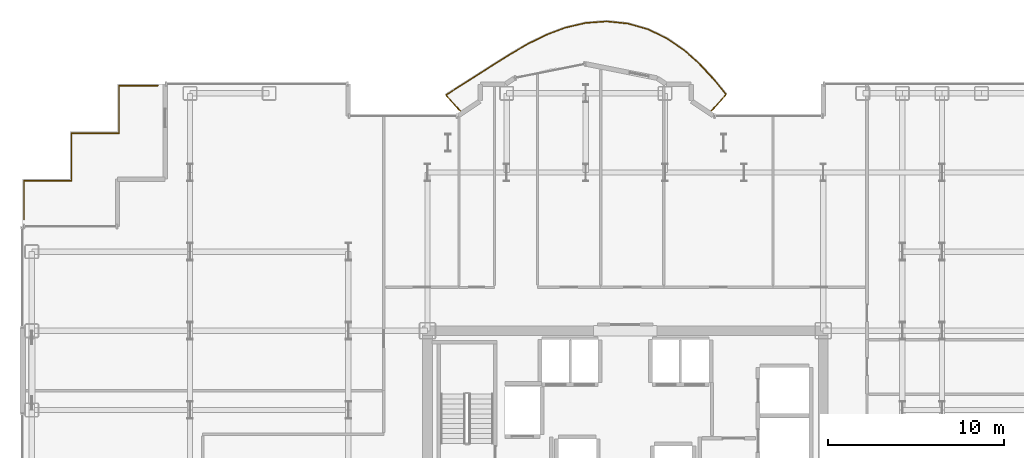
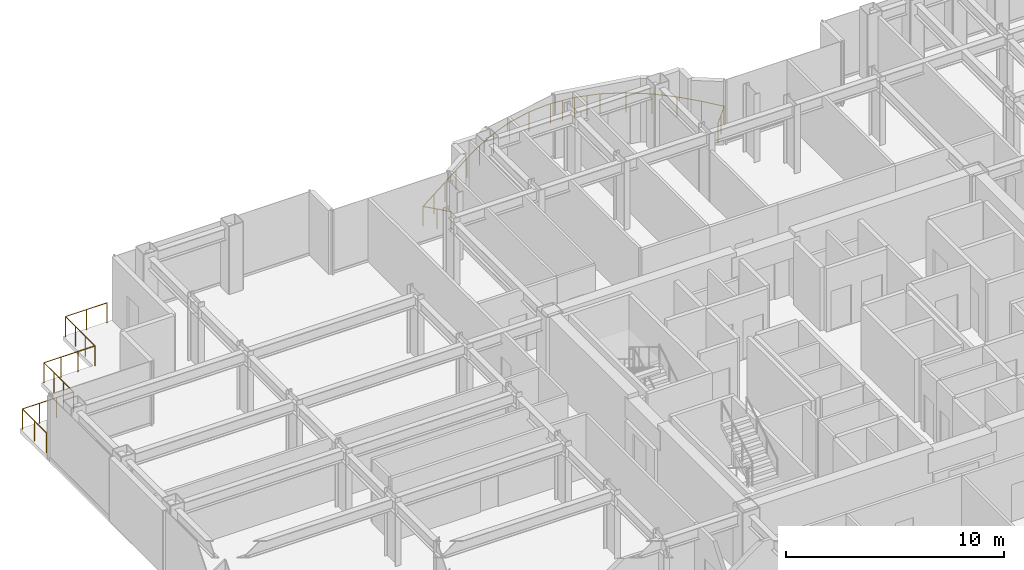
# One storey, part 29 of 29: 2 railings.
"""IFC4 building model written with IfcOpenShell, lengths in metres."""

from ifc_helpers import new_model, si_unit, direction, frame, origin, origin_2d, place, context, subcontext, project, spatial, circle, extrude, material, type_object, element, save


model = new_model("IFC4")

# Units and contexts
model_context = context("Model", 3, precision=1e-05, world=origin(), true_north=direction((0.0, 1.0)))
body_context = subcontext(model_context, "Body", "Model", "MODEL_VIEW")
ifc_project = project(units=[si_unit("LENGTHUNIT", "METRE"), si_unit("AREAUNIT", "SQUARE_METRE"), si_unit("VOLUMEUNIT", "CUBIC_METRE"), si_unit("PLANEANGLEUNIT", "RADIAN"), si_unit("MASSUNIT", "GRAM", prefix="KILO")], contexts=[model_context])

# Site, building, storey
site_placement = place(None, origin())
site = spatial("IfcSite", under=ifc_project, at=site_placement, CompositionType="ELEMENT")
building_placement = place(site_placement, origin())
building = spatial("IfcBuilding", under=site, at=building_placement, Name="Nefas-Gora Pilgrimage Tower", CompositionType="ELEMENT")
storey_placement = place(building_placement, frame((0.0, 0.0, 125.0)))
storey = spatial("IfcBuildingStorey", under=building, at=storey_placement, Name="L30", CompositionType="ELEMENT", Elevation=125.0)

# Railings
ifc_material = material(Name="Laminated safety glass and stainless steel", Category="steel")
railing_type_1 = type_object("IfcRailingType", Name="RLG-BAL-1100", PredefinedType="BALUSTRADE", material=ifc_material)
railing_1_placement = place(storey_placement, frame((4.802490234375, 21.402587890625, 0.0)))
element("IfcRailing", 1, at=railing_1_placement, inside=storey, type_object=railing_type_1, Name="L30 Wave Balcony Balustrade N1", PredefinedType="BALUSTRADE", context=body_context, shape_type="SweptSolid", body=[
    extrude(circle(Radius=0.02392578125, at=origin_2d()), frame((0.0, 0.0, 1.09619140625), z_axis=(0.669217868333, 0.743066245165, 0.0), x_axis=(-0.743066245165, 0.669217868333, 0.0)), (0.0, 0.0, 1.0), 1.38525390625),
    extrude(circle(Radius=0.02392578125, at=origin_2d()), frame((0.927001953125, 1.029296875, 1.09619140625), z_axis=(-0.631629482569, 0.775270402343, 0.0), x_axis=(-0.775270402343, -0.631629482569, 0.0)), (0.0, 0.0, 1.0), 1.125244140625),
    extrude(circle(Radius=0.02392578125, at=origin_2d()), frame((0.21630859375, 1.901611328125, 1.09619140625), z_axis=(-0.677893838632, 0.735159808167, 0.0), x_axis=(-0.735159808167, -0.677893838632, 0.0)), (0.0, 0.0, 1.0), 1.1552734375),
    extrude(circle(Radius=0.02392578125, at=origin_2d()), frame((-0.56689453125, 2.7509765625, 1.09619140625), z_axis=(-0.744856770075, 0.667224394094, 0.0), x_axis=(-0.667224394094, -0.744856770075, 0.0)), (0.0, 0.0, 1.0), 1.17919921875),
    extrude(circle(Radius=0.02392578125, at=origin_2d()), frame((-1.4453125, 3.537841796875, 1.09619140625), z_axis=(-0.823486360046, 0.567336068673, 0.0), x_axis=(-0.567336068673, -0.823486360046, 0.0)), (0.0, 0.0, 1.0), 1.193359375),
    extrude(circle(Radius=0.02392578125, at=origin_2d()), frame((-2.427978515625, 4.21484375, 1.09619140625), z_axis=(-0.900372884274, 0.435119143757, 0.0), x_axis=(-0.435119143757, -0.900372884274, 0.0)), (0.0, 0.0, 1.0), 1.198974609375),
    extrude(circle(Radius=0.02392578125, at=origin_2d()), frame((-3.507568359375, 4.736572265625, 1.09619140625), z_axis=(-0.96128569357, 0.275553652377, 0.0), x_axis=(-0.275553652377, -0.96128569357, 0.0)), (0.0, 0.0, 1.0), 1.200439453125),
    extrude(circle(Radius=0.02392578125, at=origin_2d()), frame((-4.66162109375, 5.0673828125, 1.09619140625), z_axis=(-0.994878893823, 0.101074163988, 0.0), x_axis=(-0.101074163988, -0.994878893823, 0.0)), (0.0, 0.0, 1.0), 1.200439453125),
    extrude(circle(Radius=0.02392578125, at=origin_2d()), frame((-5.85595703125, 5.188720703125, 1.09619140625), z_axis=(-0.997416168119, -0.071840013741, 0.0), x_axis=(0.071840013741, -0.997416168119, 0.0)), (0.0, 0.0, 1.0), 1.19970703125),
    extrude(circle(Radius=0.02392578125, at=origin_2d()), frame((-7.052490234375, 5.1025390625, 1.09619140625), z_axis=(-0.973990202432, -0.226590126809, 0.0), x_axis=(0.226590126809, -0.973990202432, 0.0)), (0.0, 0.0, 1.0), 1.19482421875),
    extrude(circle(Radius=0.02392578125, at=origin_2d()), frame((-8.21630859375, 4.831787109375, 1.09619140625), z_axis=(-0.935793373768, -0.352548949243, 0.0), x_axis=(0.352548949243, -0.935793373768, 0.0)), (0.0, 0.0, 1.0), 1.18212890625),
    extrude(circle(Radius=0.02392578125, at=origin_2d()), frame((-9.322509765625, 4.4150390625, 1.09619140625), z_axis=(-0.895603061992, -0.444854083213, 0.0), x_axis=(0.444854083213, -0.895603061992, 0.0)), (0.0, 0.0, 1.0), 1.15966796875),
    extrude(circle(Radius=0.02392578125, at=origin_2d()), frame((-10.361083984375, 3.899169921875, 1.09619140625), z_axis=(-0.863943403334, -0.503588915522, 0.0), x_axis=(0.503588915522, -0.863943403334, 0.0)), (0.0, 0.0, 1.0), 1.130126953125),
    extrude(circle(Radius=0.02392578125, at=origin_2d()), frame((-11.33740234375, 3.330078125, 1.09619140625), z_axis=(-0.846310667587, -0.532689641282, 0.0), x_axis=(0.532689641282, -0.846310667587, 0.0)), (0.0, 0.0, 1.0), 1.099853515625),
    extrude(circle(Radius=0.02392578125, at=origin_2d()), frame((-12.268310546875, 2.744140625, 1.09619140625), z_axis=(-0.841971362418, -0.539522219067, 0.0), x_axis=(0.539522219067, -0.841971362418, 0.0)), (0.0, 0.0, 1.0), 1.079345703125),
    extrude(circle(Radius=0.02392578125, at=origin_2d()), frame((-13.177001953125, 2.161865234375, 1.09619140625), z_axis=(-0.844473528243, -0.535597292839, 0.0), x_axis=(0.535597292839, -0.844473528243, 0.0)), (0.0, 0.0, 1.0), 1.07568359375),
    extrude(circle(Radius=0.02392578125, at=origin_2d()), frame((-14.08544921875, 1.585693359375, 1.09619140625), z_axis=(-0.843707572313, -0.536803066704, 0.0), x_axis=(0.536803066704, -0.843707572313, 0.0)), (0.0, 0.0, 1.0), 1.090576171875),
    extrude(circle(Radius=0.02392578125, at=origin_2d()), frame((-15.005615234375, 1.000244140625, 1.09619140625), z_axis=(0.669135077133, -0.74314079995, 0.0), x_axis=(0.74314079995, 0.669135077133, 0.0)), (0.0, 0.0, 1.0), 1.345947265625),
    extrude(circle(Radius=0.02099609375, at=origin_2d()), origin(), (0.0, 0.0, 1.0), 1.072021484375),
    extrude(circle(Radius=0.02099609375, at=origin_2d()), frame((0.46337890625, 0.5146484375, 0.0)), (0.0, 0.0, 1.0), 1.072021484375),
    extrude(circle(Radius=0.02099609375, at=origin_2d()), frame((0.927001953125, 1.029296875, 0.0)), (0.0, 0.0, 1.0), 1.072021484375),
    extrude(circle(Radius=0.02099609375, at=origin_2d()), frame((0.21630859375, 1.901611328125, 0.0)), (0.0, 0.0, 1.0), 1.072021484375),
    extrude(circle(Radius=0.02099609375, at=origin_2d()), frame((-0.56689453125, 2.7509765625, 0.0)), (0.0, 0.0, 1.0), 1.072021484375),
    extrude(circle(Radius=0.02099609375, at=origin_2d()), frame((-1.4453125, 3.537841796875, 0.0)), (0.0, 0.0, 1.0), 1.072021484375),
    extrude(circle(Radius=0.02099609375, at=origin_2d()), frame((-2.427978515625, 4.21484375, 0.0)), (0.0, 0.0, 1.0), 1.072021484375),
    extrude(circle(Radius=0.02099609375, at=origin_2d()), frame((-3.507568359375, 4.736572265625, 0.0)), (0.0, 0.0, 1.0), 1.072021484375),
    extrude(circle(Radius=0.02099609375, at=origin_2d()), frame((-4.08447265625, 4.90185546875, 0.0)), (0.0, 0.0, 1.0), 1.072021484375),
    extrude(circle(Radius=0.02099609375, at=origin_2d()), frame((-4.66162109375, 5.0673828125, 0.0)), (0.0, 0.0, 1.0), 1.072021484375),
    extrude(circle(Radius=0.02099609375, at=origin_2d()), frame((-5.2587890625, 5.1279296875, 0.0)), (0.0, 0.0, 1.0), 1.072021484375),
    extrude(circle(Radius=0.02099609375, at=origin_2d()), frame((-5.85595703125, 5.188720703125, 0.0)), (0.0, 0.0, 1.0), 1.072021484375),
    extrude(circle(Radius=0.02099609375, at=origin_2d()), frame((-7.052490234375, 5.1025390625, 0.0)), (0.0, 0.0, 1.0), 1.072021484375),
    extrude(circle(Radius=0.02099609375, at=origin_2d()), frame((-8.21630859375, 4.831787109375, 0.0)), (0.0, 0.0, 1.0), 1.072021484375),
    extrude(circle(Radius=0.02099609375, at=origin_2d()), frame((-9.322509765625, 4.4150390625, 0.0)), (0.0, 0.0, 1.0), 1.072021484375),
    extrude(circle(Radius=0.02099609375, at=origin_2d()), frame((-10.361083984375, 3.899169921875, 0.0)), (0.0, 0.0, 1.0), 1.072021484375),
    extrude(circle(Radius=0.02099609375, at=origin_2d()), frame((-11.33740234375, 3.330078125, 0.0)), (0.0, 0.0, 1.0), 1.072021484375),
    extrude(circle(Radius=0.02099609375, at=origin_2d()), frame((-12.268310546875, 2.744140625, 0.0)), (0.0, 0.0, 1.0), 1.072021484375),
    extrude(circle(Radius=0.02099609375, at=origin_2d()), frame((-13.177001953125, 2.161865234375, 0.0)), (0.0, 0.0, 1.0), 1.072021484375),
    extrude(circle(Radius=0.02099609375, at=origin_2d()), frame((-14.08544921875, 1.585693359375, 0.0)), (0.0, 0.0, 1.0), 1.072021484375),
    extrude(circle(Radius=0.02099609375, at=origin_2d()), frame((-15.005615234375, 1.000244140625, 0.0)), (0.0, 0.0, 1.0), 1.072021484375),
    extrude(circle(Radius=0.02099609375, at=origin_2d()), frame((-14.55517578125, 0.5, 0.0)), (0.0, 0.0, 1.0), 1.072021484375),
    extrude(circle(Radius=0.02099609375, at=origin_2d()), frame((-14.10498046875, 0.0, 0.0)), (0.0, 0.0, 1.0), 1.072021484375),
])
railing_type_2 = type_object("IfcRailingType", Name="RLG-TER-1150", PredefinedType="BALUSTRADE", material=ifc_material)
railing_2_placement = place(storey_placement, frame((-34.18994140625, 15.340087890625, 0.0)))
element("IfcRailing", 2, at=railing_2_placement, inside=storey, type_object=railing_type_2, Name="L30 Terrace Continuous Balustrade TER-SP-NW.1", PredefinedType="BALUSTRADE", context=body_context, shape_type="SweptSolid", body=[
    extrude(circle(Radius=0.02392578125, at=origin_2d()), frame((0.0, 0.0, 1.1259765625), z_axis=(0.0, 1.0, 0.0), x_axis=(-1.0, 0.0, 0.0)), (0.0, 0.0, 1.0), 2.199951171875),
    extrude(circle(Radius=0.02392578125, at=origin_2d()), frame((0.0, 2.199951171875, 1.1259765625), z_axis=(1.0, 0.0, 0.0), x_axis=(0.0, 1.0, 0.0)), (0.0, 0.0, 1.0), 2.699951171875),
    extrude(circle(Radius=0.02392578125, at=origin_2d()), frame((2.699951171875, 2.199951171875, 1.1259765625), z_axis=(0.0, 1.0, 0.0), x_axis=(-1.0, 0.0, 0.0)), (0.0, 0.0, 1.0), 2.699951171875),
    extrude(circle(Radius=0.02392578125, at=origin_2d()), frame((2.699951171875, 4.89990234375, 1.1259765625), z_axis=(1.0, 0.0, 0.0), x_axis=(0.0, 1.0, 0.0)), (0.0, 0.0, 1.0), 2.699951171875),
    extrude(circle(Radius=0.02392578125, at=origin_2d()), frame((5.39990234375, 4.89990234375, 1.1259765625), z_axis=(0.0, 1.0, 0.0), x_axis=(-1.0, 0.0, 0.0)), (0.0, 0.0, 1.0), 2.699951171875),
    extrude(circle(Radius=0.02392578125, at=origin_2d()), frame((5.39990234375, 7.599853515625, 1.1259765625), z_axis=(1.0, 0.0, 0.0), x_axis=(0.0, 1.0, 0.0)), (0.0, 0.0, 1.0), 2.199951171875),
    extrude(circle(Radius=0.02099609375, at=origin_2d()), origin(), (0.0, 0.0, 1.0), 1.101806640625),
    extrude(circle(Radius=0.02099609375, at=origin_2d()), frame((0.0, 1.10009765625, 0.0)), (0.0, 0.0, 1.0), 1.101806640625),
    extrude(circle(Radius=0.02099609375, at=origin_2d()), frame((0.0, 2.199951171875, 0.0)), (0.0, 0.0, 1.0), 1.101806640625),
    extrude(circle(Radius=0.02099609375, at=origin_2d()), frame((0.89990234375, 2.199951171875, 0.0)), (0.0, 0.0, 1.0), 1.101806640625),
    extrude(circle(Radius=0.02099609375, at=origin_2d()), frame((1.800048828125, 2.199951171875, 0.0)), (0.0, 0.0, 1.0), 1.101806640625),
    extrude(circle(Radius=0.02099609375, at=origin_2d()), frame((2.699951171875, 2.199951171875, 0.0)), (0.0, 0.0, 1.0), 1.101806640625),
    extrude(circle(Radius=0.02099609375, at=origin_2d()), frame((2.699951171875, 3.099853515625, 0.0)), (0.0, 0.0, 1.0), 1.101806640625),
    extrude(circle(Radius=0.02099609375, at=origin_2d()), frame((2.699951171875, 4.0, 0.0)), (0.0, 0.0, 1.0), 1.101806640625),
    extrude(circle(Radius=0.02099609375, at=origin_2d()), frame((2.699951171875, 4.89990234375, 0.0)), (0.0, 0.0, 1.0), 1.101806640625),
    extrude(circle(Radius=0.02099609375, at=origin_2d()), frame((3.599853515625, 4.89990234375, 0.0)), (0.0, 0.0, 1.0), 1.101806640625),
    extrude(circle(Radius=0.02099609375, at=origin_2d()), frame((4.5, 4.89990234375, 0.0)), (0.0, 0.0, 1.0), 1.101806640625),
    extrude(circle(Radius=0.02099609375, at=origin_2d()), frame((5.39990234375, 4.89990234375, 0.0)), (0.0, 0.0, 1.0), 1.101806640625),
    extrude(circle(Radius=0.02099609375, at=origin_2d()), frame((5.39990234375, 5.7998046875, 0.0)), (0.0, 0.0, 1.0), 1.101806640625),
    extrude(circle(Radius=0.02099609375, at=origin_2d()), frame((5.39990234375, 6.699951171875, 0.0)), (0.0, 0.0, 1.0), 1.101806640625),
    extrude(circle(Radius=0.02099609375, at=origin_2d()), frame((5.39990234375, 7.599853515625, 0.0)), (0.0, 0.0, 1.0), 1.101806640625),
    extrude(circle(Radius=0.02099609375, at=origin_2d()), frame((6.5, 7.599853515625, 0.0)), (0.0, 0.0, 1.0), 1.101806640625),
    extrude(circle(Radius=0.02099609375, at=origin_2d()), frame((7.599853515625, 7.599853515625, 0.0)), (0.0, 0.0, 1.0), 1.101806640625),
])

save(model, "model.ifc")
